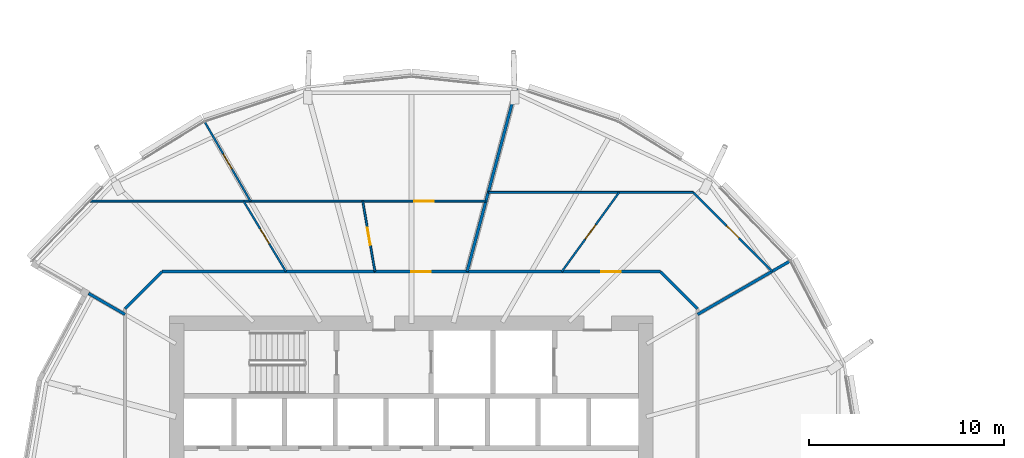
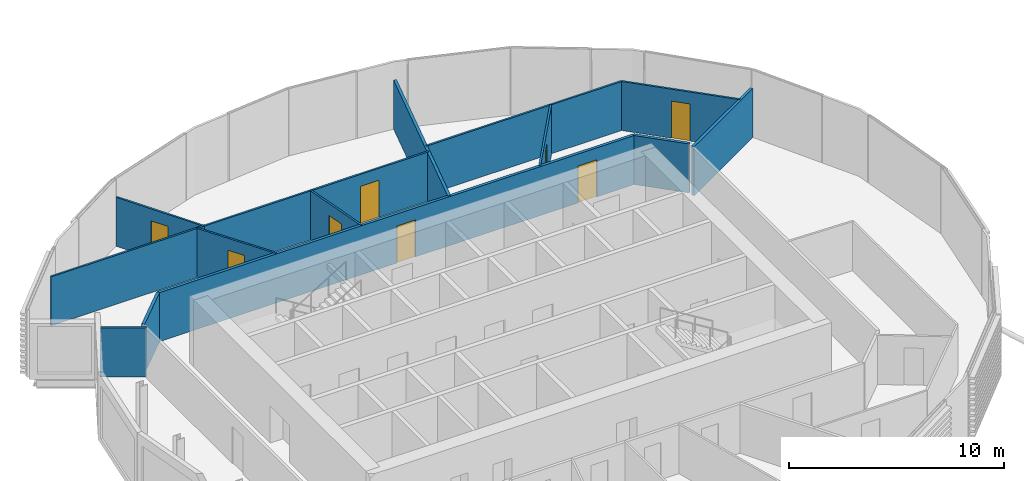
# One storey, part 22 of 38: 14 walls, 8 doors, 8 openings.
"""IFC4 building model written with IfcOpenShell, lengths in metres."""

from ifc_helpers import new_model, si_unit, direction, frame, frame_2d, origin, place, context, subcontext, project, spatial, rectangle, extrude, material, layer, layer_set, type_object, element, fill, save


model = new_model("IFC4")

# Units and contexts
model_context = context("Model", 3, precision=1e-05, world=origin(), true_north=direction((0.0, 1.0)))
body_context = subcontext(model_context, "Body", "Model", "MODEL_VIEW")
ifc_project = project(units=[si_unit("LENGTHUNIT", "METRE"), si_unit("AREAUNIT", "SQUARE_METRE"), si_unit("VOLUMEUNIT", "CUBIC_METRE"), si_unit("PLANEANGLEUNIT", "RADIAN"), si_unit("MASSUNIT", "GRAM", prefix="KILO")], contexts=[model_context])

# Site, building, storey
site_placement = place(None, origin())
site = spatial("IfcSite", under=ifc_project, at=site_placement, CompositionType="ELEMENT")
building_placement = place(site_placement, origin())
building = spatial("IfcBuilding", under=site, at=building_placement, Name="Rimbun Link Towers", CompositionType="ELEMENT")
storey_placement = place(building_placement, frame((0.0, 0.0, 119.60009765625)))
storey = spatial("IfcBuildingStorey", under=building, at=storey_placement, Name="L29", CompositionType="ELEMENT", Elevation=119.60009765625)

# Wall, openings, doors
ifc_material_1 = material(Name="Plasterboard on steel stud, mineral wool", Category="steel")
ifc_layer_1 = layer(ifc_material_1, 0.14990234375)
ifc_layer_set_1 = layer_set([ifc_layer_1], Name="Corridor wall EI 30 150 mm")
wall_type_1 = type_object("IfcWallType", Name="Corridor wall EI 30 150 mm", PredefinedType="PARTITIONING", material=ifc_layer_set_1)
wall_1_placement = place(storey_placement, frame((-44.501708984375, 10.64990234375, 0.0), z_axis=(0.0, 0.0, 1.0), x_axis=(1.0, 0.0, 0.0)))
wall_1 = element("IfcWall", 1, at=wall_1_placement, inside=storey, type_object=wall_type_1, Name="Corridor wall EI 30 150 mm", PredefinedType="PARTITIONING", context=body_context, shape_type="SweptSolid", body=[
    extrude(rectangle(XDim=25.50341796875, YDim=0.14990234375, at=frame_2d((12.751708984375, 0.0))), origin(), (0.0, 0.0, 1.0), 2.77880859375),
])
opening_1_placement = place(wall_1_placement, frame((22.479248046875, 0.0, 0.0)))
opening_1 = element("IfcOpeningElement", 2, at=opening_1_placement, cuts=wall_1, Name="Opening D01", PredefinedType="OPENING", context=body_context, shape_type="SweptSolid", body=[
    extrude(rectangle(XDim=1.0, YDim=2.10009765625, at=frame_2d((0.5, 1.050048828125))), frame((0.0, 0.0849609375, 0.0), z_axis=(0.0, -1.0, 0.0), x_axis=(1.0, 0.0, 0.0)), (0.0, 0.0, 1.0), 0.169921875),
])
opening_2_placement = place(wall_1_placement, frame((12.750244140625, 0.0, 0.0)))
opening_2 = element("IfcOpeningElement", 3, at=opening_2_placement, cuts=wall_1, Name="Opening D01", PredefinedType="OPENING", context=body_context, shape_type="SweptSolid", body=[
    extrude(rectangle(XDim=1.0, YDim=2.10009765625, at=frame_2d((0.5, 1.050048828125))), frame((0.0, 0.0849609375, 0.0), z_axis=(0.0, -1.0, 0.0), x_axis=(1.0, 0.0, 0.0)), (0.0, 0.0, 1.0), 0.169921875),
])
ifc_material_2 = material(Name="Fire-resisting timber door leaf", Category="wood")
door_type_1 = type_object("IfcDoorType", Name="Fire door FD30S 1000", OperationType="NOTDEFINED", PredefinedType="DOOR", material=ifc_material_2)
door_1_placement = place(opening_1_placement, origin())
door_1 = element("IfcDoor", 4, at=door_1_placement, inside=storey, type_object=door_type_1, Name="Fire door FD30S 1000 to Reception", OperationType="SINGLE_SWING_LEFT", OverallHeight=2.10009765625, OverallWidth=1.0, PredefinedType="DOOR", context=body_context, shape_type="SweptSolid", body=[
    extrude(rectangle(XDim=1.0, YDim=2.10009765625, at=frame_2d((0.5, 1.050048828125))), frame((0.0, 0.02490234375, 0.0), z_axis=(0.0, -1.0, 0.0), x_axis=(1.0, 0.0, 0.0)), (0.0, 0.0, 1.0), 0.050048828125),
])
fill(opening_1, door_1)
door_2_placement = place(opening_2_placement, origin())
door_2 = element("IfcDoor", 5, at=door_2_placement, inside=storey, type_object=door_type_1, Name="Fire door FD30S 1000 to Reception", OperationType="SINGLE_SWING_RIGHT", OverallHeight=2.10009765625, OverallWidth=1.0, PredefinedType="DOOR", context=body_context, shape_type="SweptSolid", body=[
    extrude(rectangle(XDim=1.0, YDim=2.10009765625, at=frame_2d((0.5, 1.050048828125))), frame((0.0, 0.02490234375, 0.0), z_axis=(0.0, -1.0, 0.0), x_axis=(1.0, 0.0, 0.0)), (0.0, 0.0, 1.0), 0.050048828125),
])
fill(opening_2, door_2)

# Walls
for number, where, z_axis, x_axis, name in (
    (6, (-17.10009765625, 8.751708984375, 0.0), (0.0, 0.0, 1.0), (-0.707106781187, 0.707106781187, 0.0), "Corridor wall EI 30 150 mm"),
    (7, (-44.501708984375, 10.64990234375, 0.0), (0.0, 0.0, 1.0), (-0.707106781187, -0.707106781187, 0.0), "Corridor wall EI 30 150 mm"),
):
    element("IfcWall", number, at=place(storey_placement, frame(where, z_axis=z_axis, x_axis=x_axis)), inside=storey, type_object=wall_type_1, Name=name, PredefinedType="PARTITIONING", context=body_context, shape_type="SweptSolid", body=[
        extrude(rectangle(XDim=2.6845703125, YDim=0.14990234375, at=frame_2d((1.34228515625, 0.0))), origin(), (0.0, 0.0, 1.0), 2.77880859375),
    ])

# Wall, opening, door
ifc_material_3 = material(Name="Plasterboard on steel stud", Category="steel")
ifc_layer_2 = layer(ifc_material_3, 0.10009765625)
ifc_layer_set_2 = layer_set([ifc_layer_2], Name="Plasterboard partition 100 mm")
wall_type_2 = type_object("IfcWallType", Name="Plasterboard partition 100 mm", PredefinedType="PARTITIONING", material=ifc_layer_set_2)
wall_2_placement = place(storey_placement, frame((-24.04638671875, 10.64990234375, 0.0), z_axis=(0.0, 0.0, 1.0), x_axis=(0.586069984191, 0.810260435681, 0.0)))
wall_2 = element("IfcWall", 8, at=wall_2_placement, inside=storey, type_object=wall_type_2, Name="Plasterboard partition 100 mm", PredefinedType="PARTITIONING", context=body_context, shape_type="SweptSolid", body=[
    extrude(rectangle(XDim=4.99853515625, YDim=0.10009765625, at=frame_2d((2.499267578125, 0.0))), origin(), (0.0, 0.0, 1.0), 2.77880859375),
])
opening_3_placement = place(wall_2_placement, frame((2.04931640625, 0.0, 0.0)))
opening_3 = element("IfcOpeningElement", 9, at=opening_3_placement, cuts=wall_2, Name="Opening D04", PredefinedType="OPENING", context=body_context, shape_type="SweptSolid", body=[
    extrude(rectangle(XDim=0.89990234375, YDim=2.10009765625, at=frame_2d((0.449951171875, 1.050048828125))), frame((0.0, 0.06005859375, 0.0), z_axis=(0.0, -1.0, 0.0), x_axis=(1.0, 0.0, 0.0)), (0.0, 0.0, 1.0), 0.1201171875),
])
ifc_material_4 = material(Name="Timber door leaf", Category="wood")
door_type_2 = type_object("IfcDoorType", Name="Flush door 900", OperationType="NOTDEFINED", PredefinedType="DOOR", material=ifc_material_4)
door_3_placement = place(opening_3_placement, origin())
door_3 = element("IfcDoor", 10, at=door_3_placement, inside=storey, type_object=door_type_2, Name="Flush door 900 to Pantry", OperationType="SINGLE_SWING_RIGHT", OverallHeight=2.10009765625, OverallWidth=0.89990234375, PredefinedType="DOOR", context=body_context, shape_type="SweptSolid", body=[
    extrude(rectangle(XDim=0.89990234375, YDim=2.10009765625, at=frame_2d((0.449951171875, 1.050048828125))), frame((0.0, 0.02490234375, 0.0), z_axis=(0.0, -1.0, 0.0), x_axis=(1.0, 0.0, 0.0)), (0.0, 0.0, 1.0), 0.050048828125),
])
fill(opening_3, door_3)

wall_3_placement = place(storey_placement, frame((-17.32080078125, 14.699951171875, 0.0), z_axis=(0.0, 0.0, 1.0), x_axis=(0.707128157168, -0.707085404559, 0.0)))
wall_3 = element("IfcWall", 11, at=wall_3_placement, inside=storey, type_object=wall_type_2, Name="Plasterboard partition 100 mm", PredefinedType="PARTITIONING", context=body_context, shape_type="SweptSolid", body=[
    extrude(rectangle(XDim=5.71044921875, YDim=0.10009765625, at=frame_2d((2.855224609375, 0.0))), origin(), (0.0, 0.0, 1.0), 2.77880859375),
])
opening_4_placement = place(wall_3_placement, frame((2.4052734375, 0.0, 0.0)))
opening_4 = element("IfcOpeningElement", 12, at=opening_4_placement, cuts=wall_3, Name="Opening D04", PredefinedType="OPENING", context=body_context, shape_type="SweptSolid", body=[
    extrude(rectangle(XDim=0.89990234375, YDim=2.10009765625, at=frame_2d((0.449951171875, 1.050048828125))), frame((0.0, 0.06005859375, 0.0), z_axis=(0.0, -1.0, 0.0), x_axis=(1.0, 0.0, 0.0)), (0.0, 0.0, 1.0), 0.1201171875),
])
door_4_placement = place(opening_4_placement, origin())
door_4 = element("IfcDoor", 13, at=door_4_placement, inside=storey, type_object=door_type_2, Name="Flush door 900 to Meeting room", OperationType="SINGLE_SWING_LEFT", OverallHeight=2.10009765625, OverallWidth=0.89990234375, PredefinedType="DOOR", context=body_context, shape_type="SweptSolid", body=[
    extrude(rectangle(XDim=0.89990234375, YDim=2.10009765625, at=frame_2d((0.449951171875, 1.050048828125))), frame((0.0, 0.02490234375, 0.0), z_axis=(0.0, -1.0, 0.0), x_axis=(1.0, 0.0, 0.0)), (0.0, 0.0, 1.0), 0.050048828125),
])
fill(opening_4, door_4)

# Wall
wall_4_placement = place(storey_placement, frame((-17.32080078125, 14.699951171875, 0.0), z_axis=(0.0, 0.0, 1.0), x_axis=(-1.0, 0.0, 0.0)))
element("IfcWall", 14, at=wall_4_placement, inside=storey, type_object=wall_type_2, Name="Plasterboard partition 100 mm", PredefinedType="PARTITIONING", context=body_context, shape_type="SweptSolid", body=[
    extrude(rectangle(XDim=10.490478515625, YDim=0.10009765625, at=frame_2d((5.2451171875, 0.0))), origin(), (0.0, 0.0, 1.0), 2.77880859375),
])

# Wall, opening, door
wall_5_placement = place(storey_placement, frame((-33.606689453125, 10.64990234375, 0.0), z_axis=(0.0, 0.0, 1.0), x_axis=(-0.171696410246, 0.985149908749, 0.0)))
wall_5 = element("IfcWall", 15, at=wall_5_placement, inside=storey, type_object=wall_type_2, Name="Plasterboard partition 100 mm", PredefinedType="PARTITIONING", context=body_context, shape_type="SweptSolid", body=[
    extrude(rectangle(XDim=3.654296875, YDim=0.10009765625, at=frame_2d((1.8271484375, 0.0))), origin(), (0.0, 0.0, 1.0), 2.77880859375),
])
opening_5_placement = place(wall_5_placement, frame((1.377197265625, 0.0, 0.0)))
opening_5 = element("IfcOpeningElement", 16, at=opening_5_placement, cuts=wall_5, Name="Opening D04", PredefinedType="OPENING", context=body_context, shape_type="SweptSolid", body=[
    extrude(rectangle(XDim=0.89990234375, YDim=2.10009765625, at=frame_2d((0.449951171875, 1.050048828125))), frame((0.0, 0.06005859375, 0.0), z_axis=(0.0, -1.0, 0.0), x_axis=(1.0, 0.0, 0.0)), (0.0, 0.0, 1.0), 0.1201171875),
])
door_5_placement = place(opening_5_placement, origin())
door_5 = element("IfcDoor", 17, at=door_5_placement, inside=storey, type_object=door_type_2, Name="Flush door 900 to Meeting room", OperationType="SINGLE_SWING_RIGHT", OverallHeight=2.10009765625, OverallWidth=0.89990234375, PredefinedType="DOOR", context=body_context, shape_type="SweptSolid", body=[
    extrude(rectangle(XDim=0.89990234375, YDim=2.10009765625, at=frame_2d((0.449951171875, 1.050048828125))), frame((0.0, 0.02490234375, 0.0), z_axis=(0.0, -1.0, 0.0), x_axis=(1.0, 0.0, 0.0)), (0.0, 0.0, 1.0), 0.050048828125),
])
fill(opening_5, door_5)

wall_6_placement = place(storey_placement, frame((-39.977294921875, 14.25, 0.0), z_axis=(0.0, 0.0, 1.0), x_axis=(1.0, 0.0, 0.0)))
wall_6 = element("IfcWall", 18, at=wall_6_placement, inside=storey, type_object=wall_type_2, Name="Plasterboard partition 100 mm", PredefinedType="PARTITIONING", context=body_context, shape_type="SweptSolid", body=[
    extrude(rectangle(XDim=12.045654296875, YDim=0.10009765625, at=frame_2d((6.02294921875, 0.0))), origin(), (0.0, 0.0, 1.0), 2.77880859375),
])
opening_6_placement = place(wall_6_placement, frame((8.37939453125, 0.0, 0.0)))
opening_6 = element("IfcOpeningElement", 19, at=opening_6_placement, cuts=wall_6, Name="Opening D03", PredefinedType="OPENING", context=body_context, shape_type="SweptSolid", body=[
    extrude(rectangle(XDim=1.0, YDim=2.10009765625, at=frame_2d((0.5, 1.050048828125))), frame((0.0, 0.06005859375, 0.0), z_axis=(0.0, -1.0, 0.0), x_axis=(1.0, 0.0, 0.0)), (0.0, 0.0, 1.0), 0.1201171875),
])
ifc_material_5 = material(Name="Timber door leaf", Category="wood")
door_type_3 = type_object("IfcDoorType", Name="Flush door 1000", OperationType="NOTDEFINED", PredefinedType="DOOR", material=ifc_material_5)
door_6_placement = place(opening_6_placement, origin())
door_6 = element("IfcDoor", 20, at=door_6_placement, inside=storey, type_object=door_type_3, Name="Flush door 1000 to Co-working space", OperationType="SINGLE_SWING_LEFT", OverallHeight=2.10009765625, OverallWidth=1.0, PredefinedType="DOOR", context=body_context, shape_type="SweptSolid", body=[
    extrude(rectangle(XDim=1.0, YDim=2.10009765625, at=frame_2d((0.5, 1.050048828125))), frame((0.0, 0.02490234375, 0.0), z_axis=(0.0, -1.0, 0.0), x_axis=(1.0, 0.0, 0.0)), (0.0, 0.0, 1.0), 0.050048828125),
])
fill(opening_6, door_6)

wall_7_placement = place(storey_placement, frame((-38.1630859375, 10.64990234375, 0.0), z_axis=(0.0, 0.0, 1.0), x_axis=(-0.515836465497, 0.856687072894, 0.0)))
wall_7 = element("IfcWall", 21, at=wall_7_placement, inside=storey, type_object=wall_type_2, Name="Plasterboard partition 100 mm", PredefinedType="PARTITIONING", context=body_context, shape_type="SweptSolid", body=[
    extrude(rectangle(XDim=4.202392578125, YDim=0.10009765625, at=frame_2d((2.10107421875, 0.0))), origin(), (0.0, 0.0, 1.0), 2.77880859375),
])
opening_7_placement = place(wall_7_placement, frame((1.651123046875, 0.0, 0.0)))
opening_7 = element("IfcOpeningElement", 22, at=opening_7_placement, cuts=wall_7, Name="Opening D04", PredefinedType="OPENING", context=body_context, shape_type="SweptSolid", body=[
    extrude(rectangle(XDim=0.89990234375, YDim=2.10009765625, at=frame_2d((0.449951171875, 1.050048828125))), frame((0.0, 0.06005859375, 0.0), z_axis=(0.0, -1.0, 0.0), x_axis=(1.0, 0.0, 0.0)), (0.0, 0.0, 1.0), 0.1201171875),
])
door_7_placement = place(opening_7_placement, origin())
door_7 = element("IfcDoor", 23, at=door_7_placement, inside=storey, type_object=door_type_2, Name="Flush door 900 to Pantry", OperationType="SINGLE_SWING_LEFT", OverallHeight=2.10009765625, OverallWidth=0.89990234375, PredefinedType="DOOR", context=body_context, shape_type="SweptSolid", body=[
    extrude(rectangle(XDim=0.89990234375, YDim=2.10009765625, at=frame_2d((0.449951171875, 1.050048828125))), frame((0.0, 0.02490234375, 0.0), z_axis=(0.0, -1.0, 0.0), x_axis=(1.0, 0.0, 0.0)), (0.0, 0.0, 1.0), 0.050048828125),
])
fill(opening_7, door_7)

# Wall
wall_8_placement = place(storey_placement, frame((-39.977294921875, 14.25, 0.0), z_axis=(0.0, 0.0, 1.0), x_axis=(-1.0, 0.0, 0.0)))
element("IfcWall", 24, at=wall_8_placement, inside=storey, type_object=wall_type_2, Name="Plasterboard partition 100 mm", PredefinedType="PARTITIONING", context=body_context, shape_type="SweptSolid", body=[
    extrude(rectangle(XDim=8.2080078125, YDim=0.10009765625, at=frame_2d((4.10400390625, 0.0))), origin(), (0.0, 0.0, 1.0), 2.77880859375),
])

# Wall, opening, door
wall_9_placement = place(storey_placement, frame((-39.977294921875, 14.25, 0.0), z_axis=(0.0, 0.0, 1.0), x_axis=(-0.499992958048, 0.866029469419, 0.0)))
wall_9 = element("IfcWall", 25, at=wall_9_placement, inside=storey, type_object=wall_type_2, Name="Plasterboard partition 100 mm", PredefinedType="PARTITIONING", context=body_context, shape_type="SweptSolid", body=[
    extrude(rectangle(XDim=4.6875, YDim=0.10009765625, at=frame_2d((2.34375, 0.0))), origin(), (0.0, 0.0, 1.0), 2.77880859375),
])
opening_8_placement = place(wall_9_placement, frame((1.893798828125, 0.0, 0.0)))
opening_8 = element("IfcOpeningElement", 26, at=opening_8_placement, cuts=wall_9, Name="Opening D04", PredefinedType="OPENING", context=body_context, shape_type="SweptSolid", body=[
    extrude(rectangle(XDim=0.89990234375, YDim=2.10009765625, at=frame_2d((0.449951171875, 1.050048828125))), frame((0.0, 0.06005859375, 0.0), z_axis=(0.0, -1.0, 0.0), x_axis=(1.0, 0.0, 0.0)), (0.0, 0.0, 1.0), 0.1201171875),
])
door_8_placement = place(opening_8_placement, origin())
door_8 = element("IfcDoor", 27, at=door_8_placement, inside=storey, type_object=door_type_2, Name="Flush door 900 to Serviced office", OperationType="SINGLE_SWING_RIGHT", OverallHeight=2.10009765625, OverallWidth=0.89990234375, PredefinedType="DOOR", context=body_context, shape_type="SweptSolid", body=[
    extrude(rectangle(XDim=0.89990234375, YDim=2.10009765625, at=frame_2d((0.449951171875, 1.050048828125))), frame((0.0, 0.02490234375, 0.0), z_axis=(0.0, -1.0, 0.0), x_axis=(1.0, 0.0, 0.0)), (0.0, 0.0, 1.0), 0.050048828125),
])
fill(opening_8, door_8)

# Walls
ifc_material_6 = material(Name="Plasterboard on steel stud, mineral wool", Category="steel")
ifc_layer_3 = layer(ifc_material_6, 0.14990234375)
ifc_layer_set_3 = layer_set([ifc_layer_3], Name="Tenancy separation wall EI 60 150 mm")
wall_type_3 = type_object("IfcWallType", Name="Tenancy separation wall EI 60 150 mm", PredefinedType="PARTITIONING", material=ifc_layer_set_3)
wall_10_placement = place(storey_placement, frame((-17.10009765625, 8.458251953125, 0.0), z_axis=(0.0, 0.0, 1.0), x_axis=(0.866036509673, 0.499980763544, 0.0)))
element("IfcWall", 28, at=wall_10_placement, inside=storey, type_object=wall_type_3, Name="Tenancy separation wall EI 60 150 mm", PredefinedType="PARTITIONING", context=body_context, shape_type="SweptSolid", body=[
    extrude(rectangle(XDim=5.454345703125, YDim=0.14990234375, at=frame_2d((2.72705078125, 0.0))), origin(), (0.0, 0.0, 1.0), 2.77880859375),
])
wall_11_placement = place(storey_placement, frame((-28.896240234375, 10.64990234375, 0.0), z_axis=(0.0, 0.0, 1.0), x_axis=(0.258798055813, 0.965931450108, 0.0)))
element("IfcWall", 29, at=wall_11_placement, inside=storey, type_object=wall_type_3, Name="Tenancy separation wall EI 60 150 mm", PredefinedType="PARTITIONING", context=body_context, shape_type="SweptSolid", body=[
    extrude(rectangle(XDim=9.71484375, YDim=0.14990234375, at=frame_2d((4.857421875, 0.0))), origin(), (0.0, 0.0, 1.0), 2.77880859375),
])
wall_12_placement = place(storey_placement, frame((-46.39990234375, 8.458251953125, 0.0), z_axis=(0.0, 0.0, 1.0), x_axis=(-0.866030838723, 0.499990586292, 0.0)))
element("IfcWall", 30, at=wall_12_placement, inside=storey, type_object=wall_type_3, Name="Tenancy separation wall EI 60 150 mm", PredefinedType="PARTITIONING", context=body_context, shape_type="SweptSolid", body=[
    extrude(rectangle(XDim=2.154296875, YDim=0.14990234375, at=frame_2d((1.0771484375, 0.0))), origin(), (0.0, 0.0, 1.0), 2.77880859375),
])

save(model, "model.ifc")
